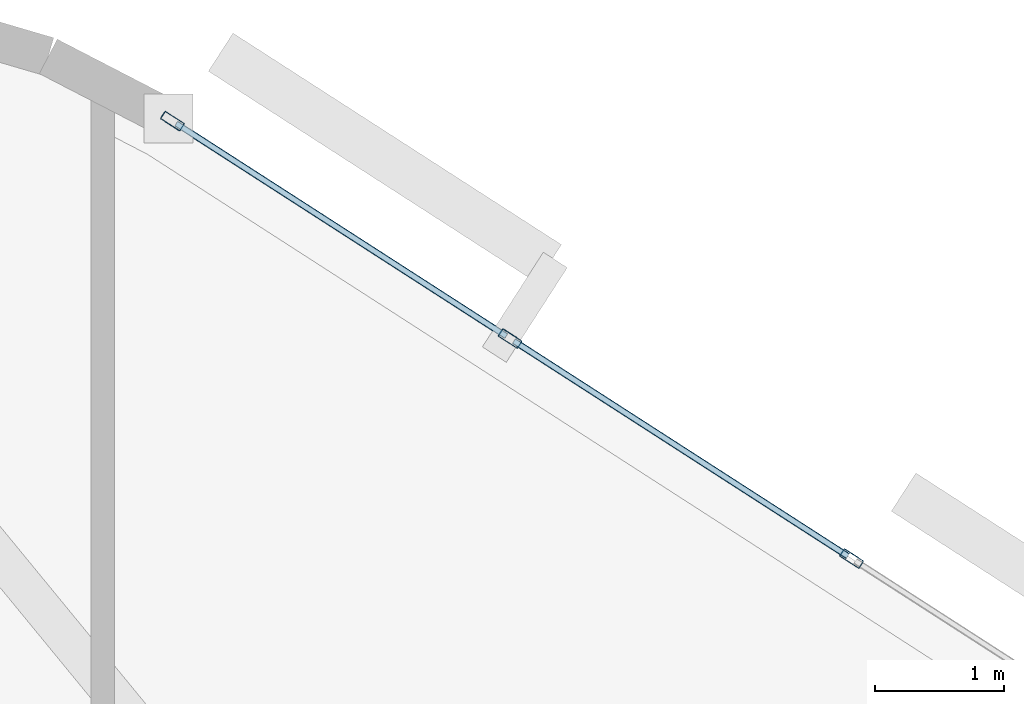
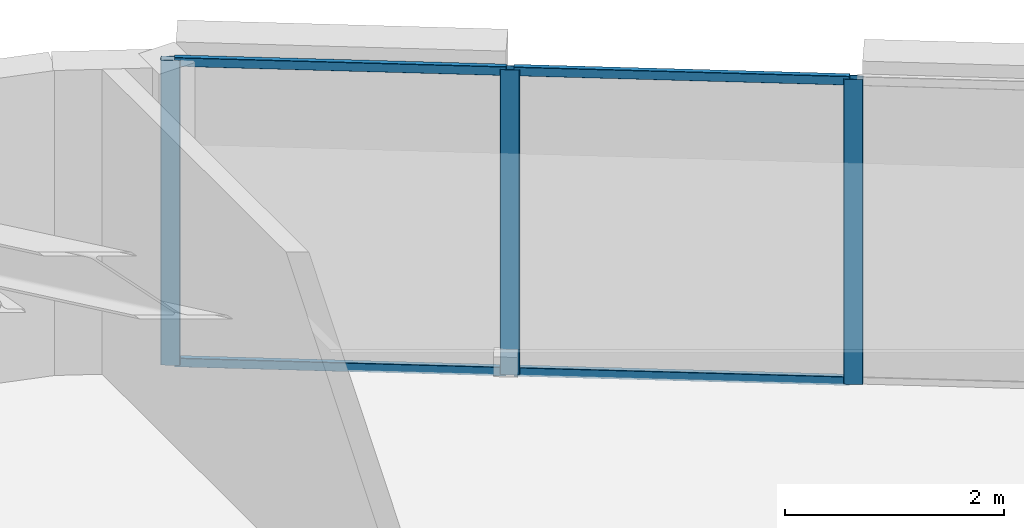
# One storey, part 8 of 15: 7 members, 1 element without a shape of its own.
"""IFC4 building model written with IfcOpenShell, lengths in metres."""

from ifc_helpers import new_model, si_unit, direction, frame, origin, origin_2d, place, context, subcontext, project, spatial, hollow_rectangle, extrude, material, layer, layer_set, material_profile, profile_set, type_object, element, aggregate, save


model = new_model("IFC4")

# Units and contexts
model_context = context("Model", 3, precision=1e-05, world=origin(), true_north=direction((0.0, 1.0)))
body_context = subcontext(model_context, "Body", "Model", "MODEL_VIEW")
ifc_project = project(units=[si_unit("LENGTHUNIT", "METRE"), si_unit("AREAUNIT", "SQUARE_METRE"), si_unit("VOLUMEUNIT", "CUBIC_METRE"), si_unit("PLANEANGLEUNIT", "RADIAN"), si_unit("MASSUNIT", "GRAM", prefix="KILO")], contexts=[model_context])

# Site, building, storey
site_placement = place(None, origin())
site = spatial("IfcSite", under=ifc_project, at=site_placement, CompositionType="ELEMENT")
building_placement = place(site_placement, origin())
building = spatial("IfcBuilding", under=site, at=building_placement, Name="An Khanh Terracotta Commons", CompositionType="ELEMENT")
storey_placement = place(building_placement, frame((0.0, 0.0, 165.39990234375)))
storey = spatial("IfcBuildingStorey", under=building, at=storey_placement, Name="L43", CompositionType="ELEMENT", Elevation=165.39990234375)

# Curtain wall, members
ifc_material = material(Name="Anodised Aluminium 6063-T6", Category="aluminium")
ifc_layer = layer(ifc_material, 0.2099609375, Name="Anodised Aluminium 6063-T6")
ifc_layer_set = layer_set([ifc_layer], Name="Anodised Aluminium 6063-T6")
curtain_wall_type = type_object("IfcCurtainWallType", Name="CW-SYS-03", PredefinedType="USERDEFINED", material=ifc_layer_set)
curtain_wall_placement = place(storey_placement, origin())
curtain_wall = element("IfcCurtainWall", 1, at=curtain_wall_placement, inside=storey, type_object=curtain_wall_type, Name="L43 CW-03 Unitised Curtain Wall CW-L43-16", ObjectType="UNITISED CURTAIN WALL", PredefinedType="USERDEFINED")
ifc_material_profile_1 = material_profile(ifc_material, hollow_rectangle(XDim=0.070068359375, YDim=0.179931640625, WallThickness=0.00390625, InnerFilletRadius=0.00390625, OuterFilletRadius=0.008056640625, at=origin_2d()), Name="RHS180x70x4")
ifc_profile_set_1 = profile_set([ifc_material_profile_1], Name="Anodised Aluminium 6063-T6")
member_type_1 = type_object("IfcMemberType", Name="CWM-RHS180x70x4", PredefinedType="MULLION", material=ifc_profile_set_1)
member_1_placement = place(storey_placement, frame((57.838623046875, 37.52392578125, 0.0), z_axis=(0.0, 0.0, 1.0), x_axis=(-0.541497931062, -0.840702081986, 0.0)))
member_1 = element("IfcMember", 2, at=member_1_placement, type_object=member_type_1, Name="CW-03 mullion 2", PredefinedType="MULLION", context=body_context, shape_type="SweptSolid", body=[
    extrude(hollow_rectangle(XDim=0.070068359375, YDim=0.179931640625, WallThickness=0.00390625, InnerFilletRadius=0.00390625, OuterFilletRadius=0.008056640625, at=origin_2d()), origin(), (0.0, 0.0, 1.0), 3.400146484375),
])
member_2_placement = place(storey_placement, frame((55.19921875, 39.22412109375, 0.0), z_axis=(0.0, 0.0, 1.0), x_axis=(-0.541497931062, -0.840702081986, 0.0)))
member_2 = element("IfcMember", 3, at=member_2_placement, type_object=member_type_1, Name="CW-03 mullion 3", PredefinedType="MULLION", context=body_context, shape_type="SweptSolid", body=[
    extrude(hollow_rectangle(XDim=0.070068359375, YDim=0.179931640625, WallThickness=0.00390625, InnerFilletRadius=0.00390625, OuterFilletRadius=0.008056640625, at=origin_2d()), origin(), (0.0, 0.0, 1.0), 3.400146484375),
])
member_3_placement = place(storey_placement, frame((52.58935546875, 40.905029296875, 0.0), z_axis=(0.0, 0.0, 1.0), x_axis=(-0.541497931062, -0.840702081986, 0.0)))
member_3 = element("IfcMember", 4, at=member_3_placement, type_object=member_type_1, Name="CW-03 mullion 4", PredefinedType="MULLION", context=body_context, shape_type="SweptSolid", body=[
    extrude(hollow_rectangle(XDim=0.070068359375, YDim=0.179931640625, WallThickness=0.00390625, InnerFilletRadius=0.00390625, OuterFilletRadius=0.008056640625, at=origin_2d()), origin(), (0.0, 0.0, 1.0), 3.400146484375),
])
ifc_material_profile_2 = material_profile(ifc_material, hollow_rectangle(XDim=0.050048828125, YDim=0.10009765625, WallThickness=0.003173828125, InnerFilletRadius=0.003173828125, OuterFilletRadius=0.00634765625, at=origin_2d()), Name="RHS100x50x3.2")
ifc_profile_set_2 = profile_set([ifc_material_profile_2], Name="Anodised Aluminium 6063-T6")
member_type_2 = type_object("IfcMemberType", Name="CWT-RHS100x50x3.2", PredefinedType="USERDEFINED", material=ifc_profile_set_2)
member_4_placement = place(storey_placement, frame((57.809326171875, 37.54296875, 0.025146484375), z_axis=(-0.840707825526, 0.54148901383, 0.0), x_axis=(-0.54148901383, -0.840707825526, 0.0)))
member_4 = element("IfcMember", 5, at=member_4_placement, type_object=member_type_2, Name="CW-03 transom 2.1", ObjectType="TRANSOM", PredefinedType="USERDEFINED", context=body_context, shape_type="SweptSolid", body=[
    extrude(hollow_rectangle(XDim=0.050048828125, YDim=0.10009765625, WallThickness=0.003173828125, InnerFilletRadius=0.003173828125, OuterFilletRadius=0.00634765625, at=origin_2d()), origin(), (0.0, 0.0, 1.0), 3.069580078125),
])
member_5_placement = place(storey_placement, frame((57.809326171875, 37.54296875, 3.375), z_axis=(-0.840707825526, 0.54148901383, 0.0), x_axis=(-0.54148901383, -0.840707825526, 0.0)))
member_5 = element("IfcMember", 6, at=member_5_placement, type_object=member_type_2, Name="CW-03 transom 2.2", ObjectType="TRANSOM", PredefinedType="USERDEFINED", context=body_context, shape_type="SweptSolid", body=[
    extrude(hollow_rectangle(XDim=0.050048828125, YDim=0.10009765625, WallThickness=0.003173828125, InnerFilletRadius=0.003173828125, OuterFilletRadius=0.00634765625, at=origin_2d()), origin(), (0.0, 0.0, 1.0), 3.069580078125),
])
member_6_placement = place(storey_placement, frame((55.169921875, 39.242919921875, 0.025146484375), z_axis=(-0.840710223453, 0.541485290826, 0.0), x_axis=(-0.541485290826, -0.840710223453, 0.0)))
member_6 = element("IfcMember", 7, at=member_6_placement, type_object=member_type_2, Name="CW-03 transom 3.1", ObjectType="TRANSOM", PredefinedType="USERDEFINED", context=body_context, shape_type="SweptSolid", body=[
    extrude(hollow_rectangle(XDim=0.050048828125, YDim=0.10009765625, WallThickness=0.003173828125, InnerFilletRadius=0.003173828125, OuterFilletRadius=0.00634765625, at=origin_2d()), origin(), (0.0, 0.0, 1.0), 3.034423828125),
])
member_7_placement = place(storey_placement, frame((55.169921875, 39.242919921875, 3.375), z_axis=(-0.840710223453, 0.541485290826, 0.0), x_axis=(-0.541485290826, -0.840710223453, 0.0)))
member_7 = element("IfcMember", 8, at=member_7_placement, type_object=member_type_2, Name="CW-03 transom 3.2", ObjectType="TRANSOM", PredefinedType="USERDEFINED", context=body_context, shape_type="SweptSolid", body=[
    extrude(hollow_rectangle(XDim=0.050048828125, YDim=0.10009765625, WallThickness=0.003173828125, InnerFilletRadius=0.003173828125, OuterFilletRadius=0.00634765625, at=origin_2d()), origin(), (0.0, 0.0, 1.0), 3.034423828125),
])
aggregate(curtain_wall, [member_1, member_2, member_3, member_4, member_5, member_6, member_7])

save(model, "model.ifc")
